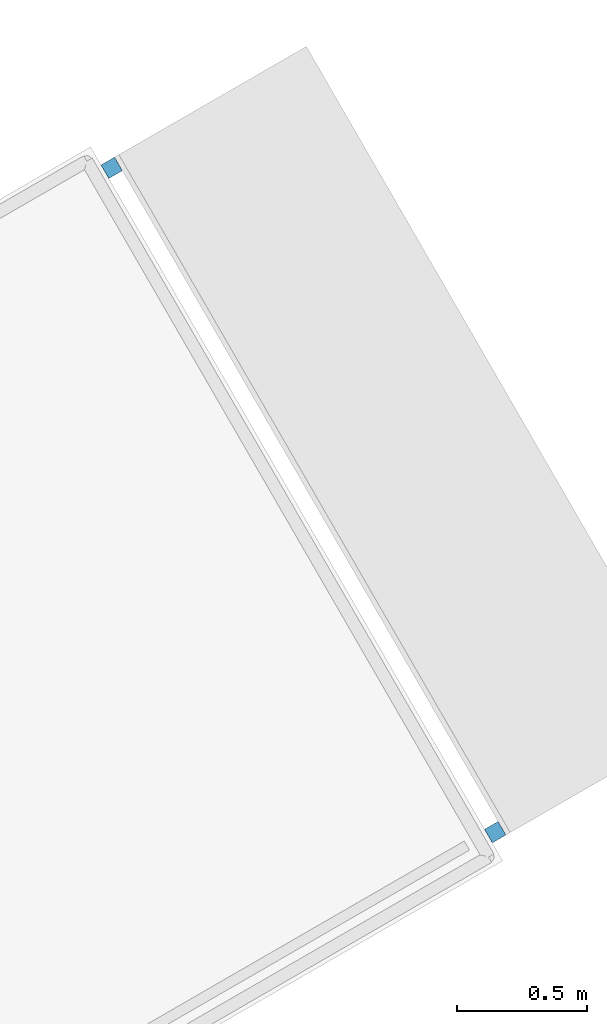
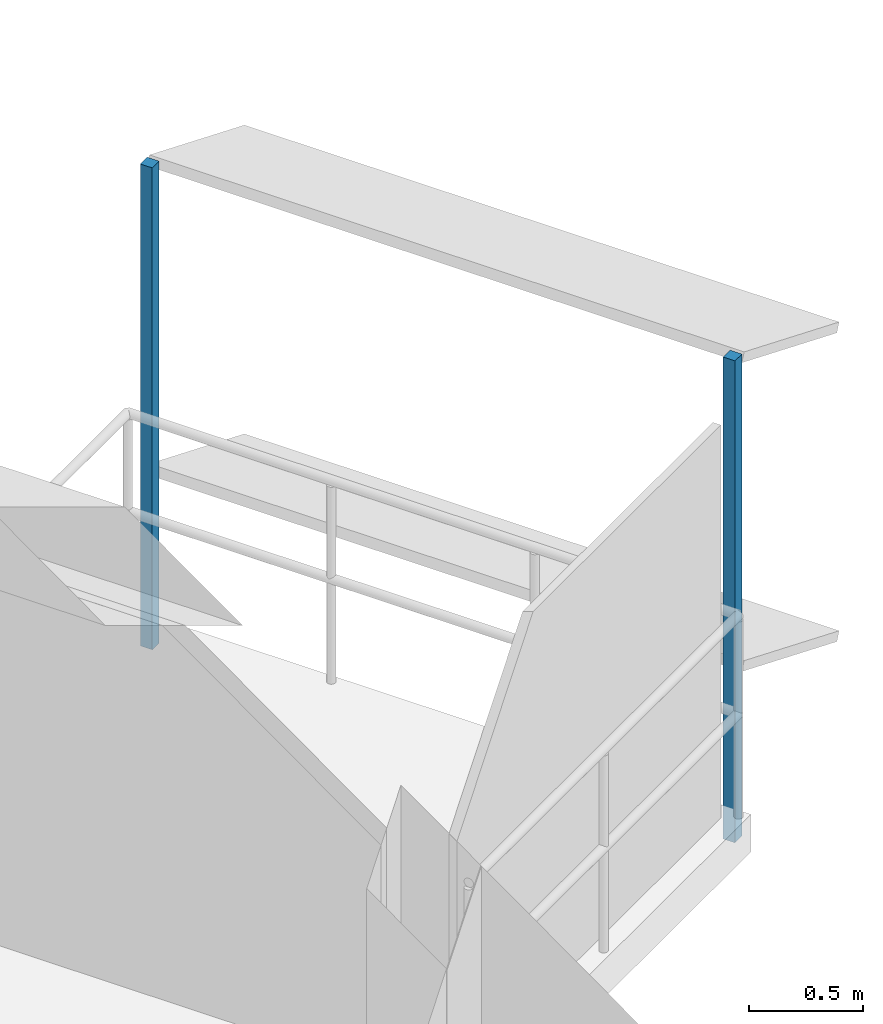
# One storey, part 11 of 14: 2 discrete accessories.
"""IFC4 building model written with IfcOpenShell, lengths in metres."""

from ifc_helpers import new_model, si_unit, direction, frame, origin, origin_2d, place, context, subcontext, project, spatial, rectangle, extrude, material, type_object, element, save


model = new_model("IFC4")

# Units and contexts
model_context = context("Model", 3, precision=1e-05, world=origin(), true_north=direction((0.0, 1.0)))
body_context = subcontext(model_context, "Body", "Model", "MODEL_VIEW")
ifc_project = project(units=[si_unit("LENGTHUNIT", "METRE"), si_unit("AREAUNIT", "SQUARE_METRE"), si_unit("VOLUMEUNIT", "CUBIC_METRE"), si_unit("PLANEANGLEUNIT", "RADIAN"), si_unit("MASSUNIT", "GRAM", prefix="KILO")], contexts=[model_context])

# Site, building, storey
site_placement = place(None, origin())
site = spatial("IfcSite", under=ifc_project, at=site_placement, CompositionType="ELEMENT")
building_placement = place(site_placement, origin())
building = spatial("IfcBuilding", under=site, at=building_placement, Name="Nakaniwa Court", CompositionType="ELEMENT")
storey_placement = place(building_placement, frame((0.0, 0.0, 114.0)))
storey = spatial("IfcBuildingStorey", under=building, at=storey_placement, Name="L30", CompositionType="ELEMENT", Elevation=114.0)

# Discrete accessories
ifc_material = material(Name="Black powder-coated steel bracket S275", Category="steel")
discrete_accessory_type = type_object("IfcDiscreteAccessoryType", Name="Black metal louvre bracket", PredefinedType="BRACKET", material=ifc_material)
for number, where, z_axis, x_axis, name in (
    (1, (104.90185546875, 89.728515625, -0.22998046875), (0.0, 0.0, 1.0), (-0.499974304289, 0.866040238702, 0.0), "L30 louvre bracket 02 1"),
    (2, (103.428955078125, 92.27978515625, -0.22998046875), (0.0, 0.0, 1.0), (-0.499974304289, 0.866040238702, 0.0), "L30 louvre bracket 02 2"),
):
    element("IfcDiscreteAccessory", number, at=place(storey_placement, frame(where, z_axis=z_axis, x_axis=x_axis)), inside=storey, type_object=discrete_accessory_type, Name=name, PredefinedType="BRACKET", context=body_context, shape_type="SweptSolid", body=[
        extrude(rectangle(XDim=0.06005859375, YDim=0.06005859375, at=origin_2d()), origin(), (0.0, 0.0, 1.0), 2.5751953125),
    ])

save(model, "model.ifc")
